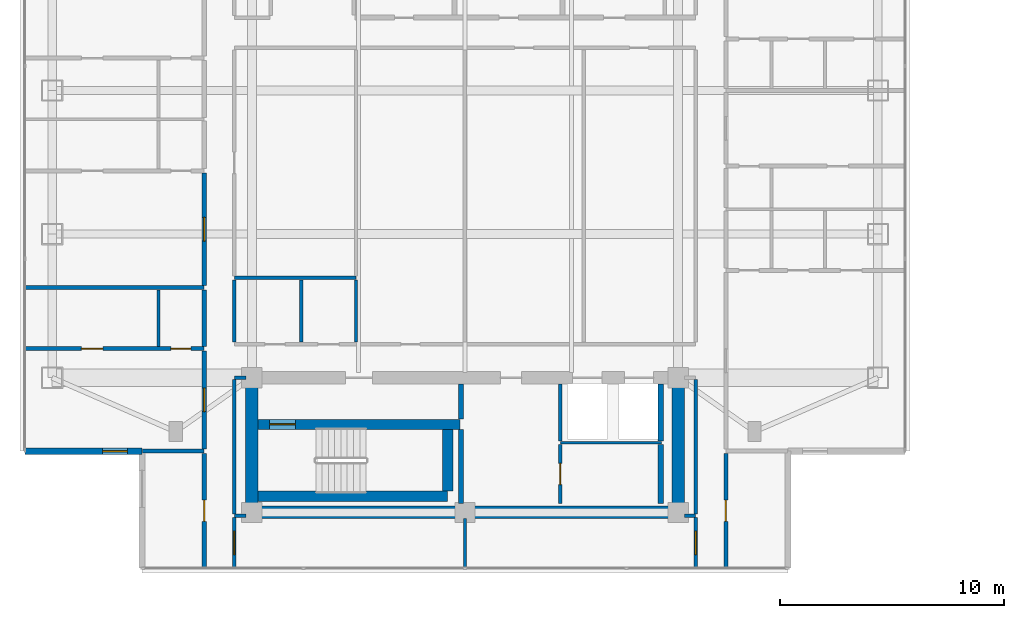
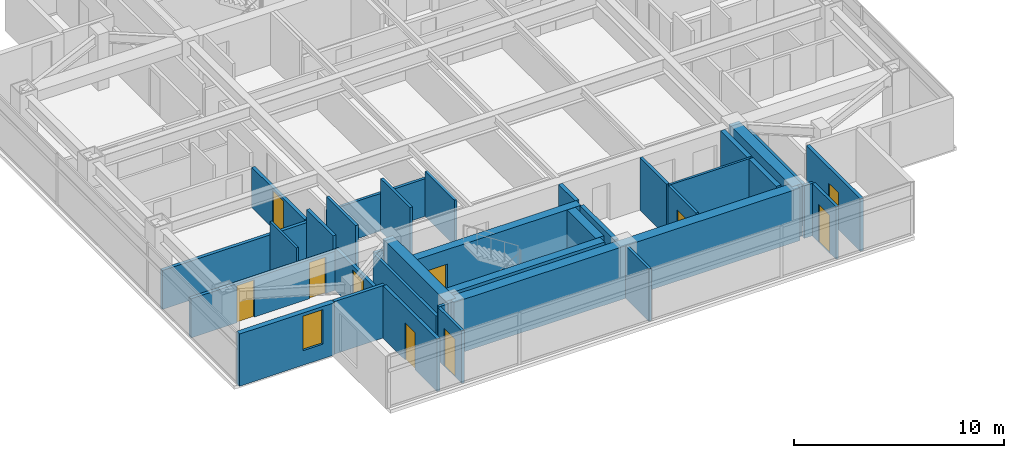
# One storey, part 12 of 24: 35 walls, 10 doors, 1 window, 11 openings.
"""IFC4 building model written with IfcOpenShell, lengths in metres."""

from ifc_helpers import new_model, si_unit, direction, frame, frame_2d, origin, place, context, subcontext, project, spatial, rectangle, extrude, material, layer, layer_set, type_object, element, fill, save


model = new_model("IFC4")

# Units and contexts
model_context = context("Model", 3, precision=1e-05, world=origin(), true_north=direction((0.0, 1.0)))
body_context = subcontext(model_context, "Body", "Model", "MODEL_VIEW")
ifc_project = project(units=[si_unit("LENGTHUNIT", "METRE"), si_unit("AREAUNIT", "SQUARE_METRE"), si_unit("VOLUMEUNIT", "CUBIC_METRE"), si_unit("PLANEANGLEUNIT", "RADIAN"), si_unit("MASSUNIT", "GRAM", prefix="KILO")], contexts=[model_context])

# Site, building, storey
site_placement = place(None, origin())
site = spatial("IfcSite", under=ifc_project, at=site_placement, CompositionType="ELEMENT")
building_placement = place(site_placement, origin())
building = spatial("IfcBuilding", under=site, at=building_placement, Name="Mirazonda Arch Towers", CompositionType="ELEMENT")
storey_placement = place(building_placement, frame((0.0, 0.0, 186.89990234375)))
storey = spatial("IfcBuildingStorey", under=building, at=storey_placement, Name="L53", CompositionType="ELEMENT", Elevation=186.89990234375)

# Wall
ifc_material_1 = material(Name="Concrete C50/60", Category="concrete")
ifc_layer_1 = layer(ifc_material_1, 0.449951171875, Name="WALL-CORE-450")
ifc_layer_set_1 = layer_set([ifc_layer_1], Name="Concrete C50/60")
wall_type_1 = type_object("IfcWallType", Name="WALL-CORE-450", PredefinedType="SHEAR", material=ifc_layer_set_1)
wall_1_placement = place(storey_placement, frame((11.27001953125, 13.1201171875, 0.0), z_axis=(0.0, 0.0, 1.0), x_axis=(1.0, 0.0, 0.0)))
element("IfcWall", 1, at=wall_1_placement, inside=storey, type_object=wall_type_1, Name="L53 Stair Core Shear Wall 003", PredefinedType="SHEAR", context=body_context, shape_type="SweptSolid", body=[
    extrude(rectangle(XDim=8.4599609375, YDim=0.449951171875, at=frame_2d((4.22998046875, 0.0))), origin(), (0.0, 0.0, 1.0), 3.050048828125),
])

# Wall, opening, door
wall_2_placement = place(storey_placement, frame((11.27001953125, 16.320068359375, 0.0), z_axis=(0.0, 0.0, 1.0), x_axis=(1.0, 0.0, 0.0)))
wall_2 = element("IfcWall", 2, at=wall_2_placement, inside=storey, type_object=wall_type_1, Name="L53 Stair Core Shear Wall 007", PredefinedType="SHEAR", context=body_context, shape_type="SweptSolid", body=[
    extrude(rectangle(XDim=9.010009765625, YDim=0.449951171875, at=frame_2d((4.5048828125, 0.0))), origin(), (0.0, 0.0, 1.0), 3.050048828125),
])
opening_1_placement = place(wall_2_placement, frame((0.52001953125, 0.0, 0.0)))
opening_1 = element("IfcOpeningElement", 3, at=opening_1_placement, cuts=wall_2, Name="Opening DR-135", PredefinedType="OPENING", context=body_context, shape_type="SweptSolid", body=[
    extrude(rectangle(XDim=1.14990234375, YDim=2.199951171875, at=frame_2d((0.574951171875, 1.10009765625))), frame((0.0, 0.23486328125, 0.0), z_axis=(0.0, -1.0, 0.0), x_axis=(1.0, 0.0, 0.0)), (0.0, 0.0, 1.0), 0.469970703125),
])
ifc_material_2 = material(Name="Architectural Brushed Steel S355", Category="steel")
door_type_1 = type_object("IfcDoorType", Name="DOOR-STAIR-FD90-1150", OperationType="NOTDEFINED", PredefinedType="DOOR", material=ifc_material_2)
door_1_placement = place(opening_1_placement, origin())
door_1 = element("IfcDoor", 4, at=door_1_placement, inside=storey, type_object=door_type_1, Name="L53 Protected Exit Stair South Door", OperationType="SINGLE_SWING_RIGHT", OverallHeight=2.199951171875, OverallWidth=1.14990234375, PredefinedType="DOOR", context=body_context, shape_type="SweptSolid", body=[
    extrude(rectangle(XDim=1.14990234375, YDim=2.199951171875, at=frame_2d((0.574951171875, 1.10009765625))), frame((0.0, 0.02490234375, 0.0), z_axis=(0.0, -1.0, 0.0), x_axis=(1.0, 0.0, 0.0)), (0.0, 0.0, 1.0), 0.050048828125),
])
fill(opening_1, door_1)

# Walls
wall_3_placement = place(storey_placement, frame((19.72998046875, 13.35498046875, 0.0), z_axis=(0.0, 0.0, 1.0), x_axis=(0.0, 1.0, 0.0)))
element("IfcWall", 5, at=wall_3_placement, inside=storey, type_object=wall_type_1, Name="L53 Stair Core Shear Wall 083", PredefinedType="SHEAR", context=body_context, shape_type="SweptSolid", body=[
    extrude(rectangle(XDim=2.72998046875, YDim=0.449951171875, at=frame_2d((1.364990234375, 0.0))), origin(), (0.0, 0.0, 1.0), 3.050048828125),
])
ifc_layer_2 = layer(ifc_material_1, 0.550048828125, Name="WALL-CORE-550")
ifc_layer_set_2 = layer_set([ifc_layer_2], Name="Concrete C50/60")
wall_type_2 = type_object("IfcWallType", Name="WALL-CORE-550", PredefinedType="SHEAR", material=ifc_layer_set_2)
wall_4_placement = place(storey_placement, frame((11.0, 12.39990234375, 0.0), z_axis=(0.0, 0.0, 1.0), x_axis=(1.0, 0.0, 0.0)))
element("IfcWall", 6, at=wall_4_placement, inside=storey, type_object=wall_type_2, Name="L53 T1S-S Core Shear Wall", PredefinedType="SHEAR", context=body_context, shape_type="SweptSolid", body=[
    extrude(rectangle(XDim=19.0, YDim=0.550048828125, at=frame_2d((9.5, 0.0))), origin(), (0.0, 0.0, 1.0), 3.050048828125),
])
for number, where, z_axis, x_axis, name in (
    (7, (11.0, 12.39990234375, 0.0), (0.0, 0.0, 1.0), (0.0, 1.0, 0.0), "L53 T1S-W Core Shear Wall"),
    (8, (30.0, 12.39990234375, 0.0), (0.0, 0.0, 1.0), (0.0, 1.0, 0.0), "L53 T1S-E Core Shear Wall"),
):
    element("IfcWall", number, at=place(storey_placement, frame(where, z_axis=z_axis, x_axis=x_axis)), inside=storey, type_object=wall_type_2, Name=name, PredefinedType="SHEAR", context=body_context, shape_type="SweptSolid", body=[
        extrude(rectangle(XDim=6.0, YDim=0.550048828125, at=frame_2d((3.0, 0.0))), origin(), (0.0, 0.0, 1.0), 3.050048828125),
    ])

# Wall, opening, window
ifc_material_3 = material(Name="Precast Concrete C40/50", Category="concrete")
ifc_layer_3 = layer(ifc_material_3, 0.280029296875, Name="WALL-EXT-WALL-280")
ifc_layer_set_3 = layer_set([ifc_layer_3], Name="Precast Concrete C40/50")
wall_type_3 = type_object("IfcWallType", Name="WALL-EXT-WALL-280", PredefinedType="SOLIDWALL", material=ifc_layer_set_3)
wall_5_placement = place(storey_placement, frame((0.889892578125, 15.126953125, 0.0), z_axis=(0.0, 0.0, 1.0), x_axis=(1.0, 0.0, 0.0)))
wall_5 = element("IfcWall", 9, at=wall_5_placement, inside=storey, type_object=wall_type_3, Name="L53 T1 Corner Notch Return Wall WL-L53-T1-CSW2", PredefinedType="SOLIDWALL", context=body_context, shape_type="SweptSolid", body=[
    extrude(rectangle(XDim=5.215087890625, YDim=0.280029296875, at=frame_2d((2.607421875, 0.0))), origin(), (0.0, 0.0, 1.0), 3.030029296875),
])
opening_2_placement = place(wall_5_placement, frame((3.465087890625, 0.0, 0.85009765625)))
opening_2 = element("IfcOpeningElement", 10, at=opening_2_placement, cuts=wall_5, Name="Opening WN-108", PredefinedType="OPENING", context=body_context, shape_type="SweptSolid", body=[
    extrude(rectangle(XDim=1.10009765625, YDim=2.0, at=frame_2d((0.550048828125, 1.0))), frame((0.0, 0.14990234375, 0.0), z_axis=(0.0, -1.0, 0.0), x_axis=(1.0, 0.0, 0.0)), (0.0, 0.0, 1.0), 0.300048828125),
])
ifc_material_4 = material(Name="Insulated Low-E Solar Glass", Category="glass")
window_type = type_object("IfcWindowType", Name="WIN-NOTCH-1100x2000", PartitioningType="SINGLE_PANEL", PredefinedType="WINDOW", material=ifc_material_4)
window_placement = place(opening_2_placement, origin())
window = element("IfcWindow", 11, at=window_placement, inside=storey, type_object=window_type, Name="L53 Punched Facade Window WN-L53-T1-CSW2", OverallHeight=2.0, OverallWidth=1.10009765625, PartitioningType="SINGLE_PANEL", PredefinedType="WINDOW", context=body_context, shape_type="SweptSolid", body=[
    extrude(rectangle(XDim=1.10009765625, YDim=2.0, at=frame_2d((0.550048828125, 1.0))), frame((0.0, 0.030029296875, 0.0), z_axis=(0.0, -1.0, 0.0), x_axis=(1.0, 0.0, 0.0)), (0.0, 0.0, 1.0), 0.06005859375),
])
fill(opening_2, window)

# Walls
ifc_material_5 = material(Name="Concrete C40/50", Category="concrete")
ifc_layer_4 = layer(ifc_material_5, 0.219970703125, Name="WALL-FFL-220")
ifc_layer_set_4 = layer_set([ifc_layer_4], Name="Concrete C40/50")
wall_type_4 = type_object("IfcWallType", Name="WALL-FFL-220", PredefinedType="SOLIDWALL", material=ifc_layer_set_4)
wall_6_placement = place(storey_placement, frame((20.31494140625, 12.800048828125, 0.0), z_axis=(0.0, 0.0, 1.0), x_axis=(0.0, 1.0, 0.0)))
element("IfcWall", 12, at=wall_6_placement, inside=storey, type_object=wall_type_4, Name="L53 Interior Partition 085", PredefinedType="SOLIDWALL", context=body_context, shape_type="SweptSolid", body=[
    extrude(rectangle(XDim=3.284912109375, YDim=0.219970703125, at=frame_2d((1.642578125, 0.0))), origin(), (0.0, 0.0, 1.0), 3.050048828125),
])
wall_7_placement = place(storey_placement, frame((20.31494140625, 16.554931640625, 0.0), z_axis=(0.0, 0.0, 1.0), x_axis=(0.0, 1.0, 0.0)))
element("IfcWall", 13, at=wall_7_placement, inside=storey, type_object=wall_type_4, Name="L53 Interior Partition 086", PredefinedType="SOLIDWALL", context=body_context, shape_type="SweptSolid", body=[
    extrude(rectangle(XDim=1.574951171875, YDim=0.219970703125, at=frame_2d((0.78759765625, 0.0))), origin(), (0.0, 0.0, 1.0), 3.050048828125),
])
ifc_material_6 = material(Name="Fire-Rated Gypsum Stud Partition")
ifc_layer_5 = layer(ifc_material_6, 0.14990234375, Name="WALL-PART-CORR-150")
ifc_layer_set_5 = layer_set([ifc_layer_5], Name="Fire-Rated Gypsum Stud Partition")
wall_type_5 = type_object("IfcWallType", Name="WALL-PART-CORR-150", PredefinedType="PARTITIONING", material=ifc_layer_set_5)
for number, where, z_axis, x_axis, name in (
    (14, (10.219970703125, 12.25, 0.0), (0.0, 0.0, 1.0), (1.0, 0.0, 0.0), "L53 Interior Partition 001"),
    (15, (30.27001953125, 12.25, 0.0), (0.0, 0.0, 1.0), (1.0, 0.0, 0.0), "L53 Interior Partition 002"),
):
    element("IfcWall", number, at=place(storey_placement, frame(where, z_axis=z_axis, x_axis=x_axis)), inside=storey, type_object=wall_type_5, Name=name, PredefinedType="PARTITIONING", context=body_context, shape_type="SweptSolid", body=[
        extrude(rectangle(XDim=0.510009765625, YDim=0.14990234375, at=frame_2d((0.2548828125, 0.0))), origin(), (0.0, 0.0, 1.0), 3.050048828125),
    ])
wall_8_placement = place(storey_placement, frame((10.219970703125, 18.39990234375, 0.0), z_axis=(0.0, 0.0, 1.0), x_axis=(1.0, 0.0, 0.0)))
element("IfcWall", 16, at=wall_8_placement, inside=storey, type_object=wall_type_5, Name="L53 Interior Partition 011", PredefinedType="PARTITIONING", context=body_context, shape_type="SweptSolid", body=[
    extrude(rectangle(XDim=0.510009765625, YDim=0.14990234375, at=frame_2d((0.2548828125, 0.0))), origin(), (0.0, 0.0, 1.0), 2.442138671875),
])
wall_9_placement = place(storey_placement, frame((10.219970703125, 22.85009765625, 0.0), z_axis=(0.0, 0.0, 1.0), x_axis=(1.0, 0.0, 0.0)))
element("IfcWall", 17, at=wall_9_placement, inside=storey, type_object=wall_type_5, Name="L53 Interior Partition 023", PredefinedType="PARTITIONING", context=body_context, shape_type="SweptSolid", body=[
    extrude(rectangle(XDim=5.419921875, YDim=0.14990234375, at=frame_2d((2.7099609375, 0.0))), origin(), (0.0, 0.0, 1.0), 2.18603515625),
])

# Wall, opening, door
wall_10_placement = place(storey_placement, frame((10.219970703125, 9.912109375, 0.0), z_axis=(0.0, 0.0, 1.0), x_axis=(0.0, 1.0, 0.0)))
wall_10 = element("IfcWall", 18, at=wall_10_placement, inside=storey, type_object=wall_type_5, Name="L53 Interior Partition 072", PredefinedType="PARTITIONING", context=body_context, shape_type="SweptSolid", body=[
    extrude(rectangle(XDim=2.2529296875, YDim=0.14990234375, at=frame_2d((1.12646484375, 0.0))), origin(), (0.0, 0.0, 1.0), 3.050048828125),
])
opening_3_placement = place(wall_10_placement, frame((0.6015625, 0.0, 0.0)))
opening_3 = element("IfcOpeningElement", 19, at=opening_3_placement, cuts=wall_10, Name="Opening DR-121", PredefinedType="OPENING", context=body_context, shape_type="SweptSolid", body=[
    extrude(rectangle(XDim=1.050048828125, YDim=2.199951171875, at=frame_2d((0.52490234375, 1.10009765625))), frame((0.0, 0.0849609375, 0.0), z_axis=(0.0, -1.0, 0.0), x_axis=(1.0, 0.0, 0.0)), (0.0, 0.0, 1.0), 0.169921875),
])
door_type_2 = type_object("IfcDoorType", Name="DOOR-SUITE-FD60-1050", OperationType="NOTDEFINED", PredefinedType="DOOR", material=ifc_material_2)
door_2_placement = place(opening_3_placement, origin())
door_2 = element("IfcDoor", 20, at=door_2_placement, inside=storey, type_object=door_type_2, Name="L53 South Panoramic Study West Door", OperationType="SINGLE_SWING_LEFT", OverallHeight=2.199951171875, OverallWidth=1.050048828125, PredefinedType="DOOR", context=body_context, shape_type="SweptSolid", body=[
    extrude(rectangle(XDim=1.050048828125, YDim=2.199951171875, at=frame_2d((0.52490234375, 1.10009765625))), frame((0.0, 0.02490234375, 0.0), z_axis=(0.0, -1.0, 0.0), x_axis=(1.0, 0.0, 0.0)), (0.0, 0.0, 1.0), 0.050048828125),
])
fill(opening_3, door_2)

# Walls
wall_11_placement = place(storey_placement, frame((10.219970703125, 12.3349609375, 0.0), z_axis=(0.0, 0.0, 1.0), x_axis=(0.0, 1.0, 0.0)))
element("IfcWall", 21, at=wall_11_placement, inside=storey, type_object=wall_type_5, Name="L53 Interior Partition 073", PredefinedType="PARTITIONING", context=body_context, shape_type="SweptSolid", body=[
    extrude(rectangle(XDim=5.97998046875, YDim=0.14990234375, at=frame_2d((2.989990234375, 0.0))), origin(), (0.0, 0.0, 1.0), 2.442138671875),
])
for number, where, z_axis, x_axis, name in (
    (22, (10.219970703125, 19.985107421875, 0.0), (0.0, 0.0, 1.0), (0.0, 1.0, 0.0), "L53 Interior Partition 074"),
    (23, (13.199951171875, 19.985107421875, 0.0), (0.0, 0.0, 1.0), (0.0, 1.0, 0.0), "L53 Interior Partition 079"),
):
    element("IfcWall", number, at=place(storey_placement, frame(where, z_axis=z_axis, x_axis=x_axis)), inside=storey, type_object=wall_type_5, Name=name, PredefinedType="PARTITIONING", context=body_context, shape_type="SweptSolid", body=[
        extrude(rectangle(XDim=2.77978515625, YDim=0.14990234375, at=frame_2d((1.389892578125, 0.0))), origin(), (0.0, 0.0, 1.0), 3.050048828125),
    ])
wall_12_placement = place(storey_placement, frame((15.639892578125, 19.985107421875, 0.0), z_axis=(0.0, 0.0, 1.0), x_axis=(0.0, 1.0, 0.0)))
element("IfcWall", 24, at=wall_12_placement, inside=storey, type_object=wall_type_5, Name="L53 Interior Partition 080", PredefinedType="PARTITIONING", context=body_context, shape_type="SweptSolid", body=[
    extrude(rectangle(XDim=2.77978515625, YDim=0.14990234375, at=frame_2d((1.389892578125, 0.0))), origin(), (0.0, 0.0, 1.0), 2.625),
])
wall_13_placement = place(storey_placement, frame((20.5, 9.912109375, 0.0), z_axis=(0.0, 0.0, 1.0), x_axis=(0.0, 1.0, 0.0)))
element("IfcWall", 25, at=wall_13_placement, inside=storey, type_object=wall_type_5, Name="L53 Interior Partition 088", PredefinedType="PARTITIONING", context=body_context, shape_type="SweptSolid", body=[
    extrude(rectangle(XDim=2.2177734375, YDim=0.14990234375, at=frame_2d((1.10888671875, 0.0))), origin(), (0.0, 0.0, 1.0), 3.050048828125),
])

# Wall, opening, door
wall_14_placement = place(storey_placement, frame((24.75, 12.800048828125, 0.0), z_axis=(0.0, 0.0, 1.0), x_axis=(0.0, 1.0, 0.0)))
wall_14 = element("IfcWall", 26, at=wall_14_placement, inside=storey, type_object=wall_type_5, Name="L53 Interior Partition 091", PredefinedType="PARTITIONING", context=body_context, shape_type="SweptSolid", body=[
    extrude(rectangle(XDim=2.62744140625, YDim=0.14990234375, at=frame_2d((1.313720703125, 0.0))), origin(), (0.0, 0.0, 1.0), 3.050048828125),
])
opening_4_placement = place(wall_14_placement, frame((0.838623046875, 0.0, 0.0)))
opening_4 = element("IfcOpeningElement", 27, at=opening_4_placement, cuts=wall_14, Name="Opening DR-104", PredefinedType="OPENING", context=body_context, shape_type="SweptSolid", body=[
    extrude(rectangle(XDim=0.949951171875, YDim=2.14990234375, at=frame_2d((0.47509765625, 1.074951171875))), frame((0.0, 0.0849609375, 0.0), z_axis=(0.0, -1.0, 0.0), x_axis=(1.0, 0.0, 0.0)), (0.0, 0.0, 1.0), 0.169921875),
])
door_type_3 = type_object("IfcDoorType", Name="DOOR-ROOM-950", OperationType="NOTDEFINED", PredefinedType="DOOR", material=ifc_material_2)
door_3_placement = place(opening_4_placement, origin())
door_3 = element("IfcDoor", 28, at=door_3_placement, inside=storey, type_object=door_type_3, Name="L53 Residents Private Archive Study Door", OperationType="SINGLE_SWING_RIGHT", OverallHeight=2.14990234375, OverallWidth=0.949951171875, PredefinedType="DOOR", context=body_context, shape_type="SweptSolid", body=[
    extrude(rectangle(XDim=0.949951171875, YDim=2.14990234375, at=frame_2d((0.47509765625, 1.074951171875))), frame((0.0, 0.02490234375, 0.0), z_axis=(0.0, -1.0, 0.0), x_axis=(1.0, 0.0, 0.0)), (0.0, 0.0, 1.0), 0.050048828125),
])
fill(opening_4, door_3)

# Wall
wall_15_placement = place(storey_placement, frame((24.75, 15.572509765625, 0.0), z_axis=(0.0, 0.0, 1.0), x_axis=(0.0, 1.0, 0.0)))
element("IfcWall", 29, at=wall_15_placement, inside=storey, type_object=wall_type_5, Name="L53 Interior Partition 092", PredefinedType="PARTITIONING", context=body_context, shape_type="SweptSolid", body=[
    extrude(rectangle(XDim=2.557373046875, YDim=0.14990234375, at=frame_2d((1.27880859375, 0.0))), origin(), (0.0, 0.0, 1.0), 3.050048828125),
])

# Wall, opening, door
wall_16_placement = place(storey_placement, frame((30.780029296875, 9.912109375, 0.0), z_axis=(0.0, 0.0, 1.0), x_axis=(0.0, 1.0, 0.0)))
wall_16 = element("IfcWall", 30, at=wall_16_placement, inside=storey, type_object=wall_type_5, Name="L53 Interior Partition 101", PredefinedType="PARTITIONING", context=body_context, shape_type="SweptSolid", body=[
    extrude(rectangle(XDim=2.2529296875, YDim=0.14990234375, at=frame_2d((1.12646484375, 0.0))), origin(), (0.0, 0.0, 1.0), 3.050048828125),
])
opening_5_placement = place(wall_16_placement, frame((0.6015625, 0.0, 0.0)))
opening_5 = element("IfcOpeningElement", 31, at=opening_5_placement, cuts=wall_16, Name="Opening DR-121", PredefinedType="OPENING", context=body_context, shape_type="SweptSolid", body=[
    extrude(rectangle(XDim=1.050048828125, YDim=2.199951171875, at=frame_2d((0.52490234375, 1.10009765625))), frame((0.0, 0.0849609375, 0.0), z_axis=(0.0, -1.0, 0.0), x_axis=(1.0, 0.0, 0.0)), (0.0, 0.0, 1.0), 0.169921875),
])
door_4_placement = place(opening_5_placement, origin())
door_4 = element("IfcDoor", 32, at=door_4_placement, inside=storey, type_object=door_type_2, Name="L53 South Panoramic Study East Door", OperationType="SINGLE_SWING_RIGHT", OverallHeight=2.199951171875, OverallWidth=1.050048828125, PredefinedType="DOOR", context=body_context, shape_type="SweptSolid", body=[
    extrude(rectangle(XDim=1.050048828125, YDim=2.199951171875, at=frame_2d((0.52490234375, 1.10009765625))), frame((0.0, 0.02490234375, 0.0), z_axis=(0.0, -1.0, 0.0), x_axis=(1.0, 0.0, 0.0)), (0.0, 0.0, 1.0), 0.050048828125),
])
fill(opening_5, door_4)

# Walls
wall_17_placement = place(storey_placement, frame((30.780029296875, 12.3349609375, 0.0), z_axis=(0.0, 0.0, 1.0), x_axis=(0.0, 1.0, 0.0)))
element("IfcWall", 33, at=wall_17_placement, inside=storey, type_object=wall_type_5, Name="L53 Interior Partition 102", PredefinedType="PARTITIONING", context=body_context, shape_type="SweptSolid", body=[
    extrude(rectangle(XDim=5.97998046875, YDim=0.14990234375, at=frame_2d((2.989990234375, 0.0))), origin(), (0.0, 0.0, 1.0), 2.442138671875),
])
ifc_material_7 = material(Name="Fire-Rated Gypsum Twin-Stud Assembly")
ifc_layer_6 = layer(ifc_material_7, 0.179931640625, Name="WALL-PART-DEMISE-180")
ifc_layer_set_6 = layer_set([ifc_layer_6], Name="Fire-Rated Gypsum Twin-Stud Assembly")
wall_type_6 = type_object("IfcWallType", Name="WALL-PART-DEMISE-180", PredefinedType="PARTITIONING", material=ifc_layer_set_6)
wall_18_placement = place(storey_placement, frame((6.125, 15.126953125, 0.0), z_axis=(0.0, 0.0, 1.0), x_axis=(1.0, 0.0, 0.0)))
element("IfcWall", 34, at=wall_18_placement, inside=storey, type_object=wall_type_6, Name="L53 Interior Partition 004", PredefinedType="PARTITIONING", context=body_context, shape_type="SweptSolid", body=[
    extrude(rectangle(XDim=2.7548828125, YDim=0.179931640625, at=frame_2d((1.37744140625, 0.0))), origin(), (0.0, 0.0, 1.0), 3.050048828125),
])

# Wall, openings, doors
wall_19_placement = place(storey_placement, frame((0.889892578125, 19.697021484375, 0.0), z_axis=(0.0, 0.0, 1.0), x_axis=(1.0, 0.0, 0.0)))
wall_19 = element("IfcWall", 35, at=wall_19_placement, inside=storey, type_object=wall_type_6, Name="L53 Interior Partition 014", PredefinedType="PARTITIONING", context=body_context, shape_type="SweptSolid", body=[
    extrude(rectangle(XDim=7.989990234375, YDim=0.179931640625, at=frame_2d((3.9951171875, 0.0))), origin(), (0.0, 0.0, 1.0), 2.26904296875),
])
opening_6_placement = place(wall_19_placement, frame((2.52001953125, 0.0, 0.0)))
opening_6 = element("IfcOpeningElement", 36, at=opening_6_placement, cuts=wall_19, Name="Opening DR-104", PredefinedType="OPENING", context=body_context, shape_type="SweptSolid", body=[
    extrude(rectangle(XDim=0.949951171875, YDim=2.14990234375, at=frame_2d((0.47509765625, 1.074951171875))), frame((0.0, 0.099853515625, 0.0), z_axis=(0.0, -1.0, 0.0), x_axis=(1.0, 0.0, 0.0)), (0.0, 0.0, 1.0), 0.199951171875),
])
opening_7_placement = place(wall_19_placement, frame((6.5, 0.0, 0.0)))
opening_7 = element("IfcOpeningElement", 37, at=opening_7_placement, cuts=wall_19, Name="Opening DR-120", PredefinedType="OPENING", context=body_context, shape_type="SweptSolid", body=[
    extrude(rectangle(XDim=0.89990234375, YDim=2.10009765625, at=frame_2d((0.449951171875, 1.050048828125))), frame((0.0, 0.099853515625, 0.0), z_axis=(0.0, -1.0, 0.0), x_axis=(1.0, 0.0, 0.0)), (0.0, 0.0, 1.0), 0.199951171875),
])
door_5_placement = place(opening_6_placement, origin())
door_5 = element("IfcDoor", 38, at=door_5_placement, inside=storey, type_object=door_type_3, Name="L53 Studio 1 Galley Kitchen Door", OperationType="SINGLE_SWING_LEFT", OverallHeight=2.14990234375, OverallWidth=0.949951171875, PredefinedType="DOOR", context=body_context, shape_type="SweptSolid", body=[
    extrude(rectangle(XDim=0.949951171875, YDim=2.14990234375, at=frame_2d((0.47509765625, 1.074951171875))), frame((0.0, 0.02490234375, 0.0), z_axis=(0.0, -1.0, 0.0), x_axis=(1.0, 0.0, 0.0)), (0.0, 0.0, 1.0), 0.050048828125),
])
fill(opening_6, door_5)
door_type_4 = type_object("IfcDoorType", Name="DOOR-WC-900", OperationType="NOTDEFINED", PredefinedType="DOOR", material=ifc_material_2)
door_6_placement = place(opening_7_placement, origin())
door_6 = element("IfcDoor", 39, at=door_6_placement, inside=storey, type_object=door_type_4, Name="L53 Studio 1 Bathroom Door", OperationType="SINGLE_SWING_RIGHT", OverallHeight=2.10009765625, OverallWidth=0.89990234375, PredefinedType="DOOR", context=body_context, shape_type="SweptSolid", body=[
    extrude(rectangle(XDim=0.89990234375, YDim=2.10009765625, at=frame_2d((0.449951171875, 1.050048828125))), frame((0.0, 0.02490234375, 0.0), z_axis=(0.0, -1.0, 0.0), x_axis=(1.0, 0.0, 0.0)), (0.0, 0.0, 1.0), 0.050048828125),
])
fill(opening_7, door_6)

# Wall
wall_20_placement = place(storey_placement, frame((0.889892578125, 22.4169921875, 0.0), z_axis=(0.0, 0.0, 1.0), x_axis=(1.0, 0.0, 0.0)))
element("IfcWall", 40, at=wall_20_placement, inside=storey, type_object=wall_type_6, Name="L53 Interior Partition 020", PredefinedType="PARTITIONING", context=body_context, shape_type="SweptSolid", body=[
    extrude(rectangle(XDim=7.989990234375, YDim=0.179931640625, at=frame_2d((3.9951171875, 0.0))), origin(), (0.0, 0.0, 1.0), 2.26904296875),
])

# Wall, opening, door
wall_21_placement = place(storey_placement, frame((8.8798828125, 9.912109375, 0.0), z_axis=(0.0, 0.0, 1.0), x_axis=(0.0, 1.0, 0.0)))
wall_21 = element("IfcWall", 41, at=wall_21_placement, inside=storey, type_object=wall_type_6, Name="L53 Interior Partition 064", PredefinedType="PARTITIONING", context=body_context, shape_type="SweptSolid", body=[
    extrude(rectangle(XDim=5.114990234375, YDim=0.179931640625, at=frame_2d((2.5576171875, 0.0))), origin(), (0.0, 0.0, 1.0), 3.050048828125),
])
opening_8_placement = place(wall_21_placement, frame((2.08251953125, 0.0, 0.0)))
opening_8 = element("IfcOpeningElement", 42, at=opening_8_placement, cuts=wall_21, Name="Opening DR-104", PredefinedType="OPENING", context=body_context, shape_type="SweptSolid", body=[
    extrude(rectangle(XDim=0.949951171875, YDim=2.14990234375, at=frame_2d((0.47509765625, 1.074951171875))), frame((0.0, 0.099853515625, 0.0), z_axis=(0.0, -1.0, 0.0), x_axis=(1.0, 0.0, 0.0)), (0.0, 0.0, 1.0), 0.199951171875),
])
door_7_placement = place(opening_8_placement, origin())
door_7 = element("IfcDoor", 43, at=door_7_placement, inside=storey, type_object=door_type_3, Name="L53 South Panoramic Study Alcove West Door", OperationType="SINGLE_SWING_LEFT", OverallHeight=2.14990234375, OverallWidth=0.949951171875, PredefinedType="DOOR", context=body_context, shape_type="SweptSolid", body=[
    extrude(rectangle(XDim=0.949951171875, YDim=2.14990234375, at=frame_2d((0.47509765625, 1.074951171875))), frame((0.0, 0.02490234375, 0.0), z_axis=(0.0, -1.0, 0.0), x_axis=(1.0, 0.0, 0.0)), (0.0, 0.0, 1.0), 0.050048828125),
])
fill(opening_8, door_7)

wall_22_placement = place(storey_placement, frame((8.8798828125, 15.22705078125, 0.0), z_axis=(0.0, 0.0, 1.0), x_axis=(0.0, 1.0, 0.0)))
wall_22 = element("IfcWall", 44, at=wall_22_placement, inside=storey, type_object=wall_type_6, Name="L53 Interior Partition 065", PredefinedType="PARTITIONING", context=body_context, shape_type="SweptSolid", body=[
    extrude(rectangle(XDim=4.369873046875, YDim=0.179931640625, at=frame_2d((2.18505859375, 0.0))), origin(), (0.0, 0.0, 1.0), 2.442138671875),
])
opening_9_placement = place(wall_22_placement, frame((1.659912109375, 0.0, 0.0)))
opening_9 = element("IfcOpeningElement", 45, at=opening_9_placement, cuts=wall_22, Name="Opening DR-121", PredefinedType="OPENING", context=body_context, shape_type="SweptSolid", body=[
    extrude(rectangle(XDim=1.050048828125, YDim=2.199951171875, at=frame_2d((0.52490234375, 1.10009765625))), frame((0.0, 0.099853515625, 0.0), z_axis=(0.0, -1.0, 0.0), x_axis=(1.0, 0.0, 0.0)), (0.0, 0.0, 1.0), 0.199951171875),
])
door_8_placement = place(opening_9_placement, origin())
door_8 = element("IfcDoor", 46, at=door_8_placement, inside=storey, type_object=door_type_2, Name="L53 Studio Apartment 1 Living Salon Door", OperationType="SINGLE_SWING_RIGHT", OverallHeight=2.199951171875, OverallWidth=1.050048828125, PredefinedType="DOOR", context=body_context, shape_type="SweptSolid", body=[
    extrude(rectangle(XDim=1.050048828125, YDim=2.199951171875, at=frame_2d((0.52490234375, 1.10009765625))), frame((0.0, 0.02490234375, 0.0), z_axis=(0.0, -1.0, 0.0), x_axis=(1.0, 0.0, 0.0)), (0.0, 0.0, 1.0), 0.050048828125),
])
fill(opening_9, door_8)

# Wall
wall_23_placement = place(storey_placement, frame((8.8798828125, 19.797119140625, 0.0), z_axis=(0.0, 0.0, 1.0), x_axis=(0.0, 1.0, 0.0)))
element("IfcWall", 47, at=wall_23_placement, inside=storey, type_object=wall_type_6, Name="L53 Interior Partition 066", PredefinedType="PARTITIONING", context=body_context, shape_type="SweptSolid", body=[
    extrude(rectangle(XDim=2.519775390625, YDim=0.179931640625, at=frame_2d((1.259765625, 0.0))), origin(), (0.0, 0.0, 1.0), 3.050048828125),
])

# Wall, opening, door
wall_24_placement = place(storey_placement, frame((8.8798828125, 22.51708984375, 0.0), z_axis=(0.0, 0.0, 1.0), x_axis=(0.0, 1.0, 0.0)))
wall_24 = element("IfcWall", 48, at=wall_24_placement, inside=storey, type_object=wall_type_6, Name="L53 Interior Partition 067", PredefinedType="PARTITIONING", context=body_context, shape_type="SweptSolid", body=[
    extrude(rectangle(XDim=5.001953125, YDim=0.179931640625, at=frame_2d((2.5009765625, 0.0))), origin(), (0.0, 0.0, 1.0), 2.34619140625),
])
opening_10_placement = place(wall_24_placement, frame((1.97607421875, 0.0, 0.0)))
opening_10 = element("IfcOpeningElement", 49, at=opening_10_placement, cuts=wall_24, Name="Opening DR-121", PredefinedType="OPENING", context=body_context, shape_type="SweptSolid", body=[
    extrude(rectangle(XDim=1.050048828125, YDim=2.199951171875, at=frame_2d((0.52490234375, 1.10009765625))), frame((0.0, 0.099853515625, 0.0), z_axis=(0.0, -1.0, 0.0), x_axis=(1.0, 0.0, 0.0)), (0.0, 0.0, 1.0), 0.199951171875),
])
door_9_placement = place(opening_10_placement, origin())
door_9 = element("IfcDoor", 50, at=door_9_placement, inside=storey, type_object=door_type_2, Name="L53 Studio Apartment 2 Living Salon Door", OperationType="SINGLE_SWING_LEFT", OverallHeight=2.199951171875, OverallWidth=1.050048828125, PredefinedType="DOOR", context=body_context, shape_type="SweptSolid", body=[
    extrude(rectangle(XDim=1.050048828125, YDim=2.199951171875, at=frame_2d((0.52490234375, 1.10009765625))), frame((0.0, 0.02490234375, 0.0), z_axis=(0.0, -1.0, 0.0), x_axis=(1.0, 0.0, 0.0)), (0.0, 0.0, 1.0), 0.050048828125),
])
fill(opening_10, door_9)

wall_25_placement = place(storey_placement, frame((32.1201171875, 9.912109375, 0.0), z_axis=(0.0, 0.0, 1.0), x_axis=(0.0, 1.0, 0.0)))
wall_25 = element("IfcWall", 51, at=wall_25_placement, inside=storey, type_object=wall_type_6, Name="L53 Interior Partition 106", PredefinedType="PARTITIONING", context=body_context, shape_type="SweptSolid", body=[
    extrude(rectangle(XDim=5.114990234375, YDim=0.179931640625, at=frame_2d((2.5576171875, 0.0))), origin(), (0.0, 0.0, 1.0), 3.050048828125),
])
opening_11_placement = place(wall_25_placement, frame((2.08251953125, 0.0, 0.0)))
opening_11 = element("IfcOpeningElement", 52, at=opening_11_placement, cuts=wall_25, Name="Opening DR-104", PredefinedType="OPENING", context=body_context, shape_type="SweptSolid", body=[
    extrude(rectangle(XDim=0.949951171875, YDim=2.14990234375, at=frame_2d((0.47509765625, 1.074951171875))), frame((0.0, 0.099853515625, 0.0), z_axis=(0.0, -1.0, 0.0), x_axis=(1.0, 0.0, 0.0)), (0.0, 0.0, 1.0), 0.199951171875),
])
door_10_placement = place(opening_11_placement, origin())
door_10 = element("IfcDoor", 53, at=door_10_placement, inside=storey, type_object=door_type_3, Name="L53 South Panoramic Study Alcove East Door", OperationType="SINGLE_SWING_RIGHT", OverallHeight=2.14990234375, OverallWidth=0.949951171875, PredefinedType="DOOR", context=body_context, shape_type="SweptSolid", body=[
    extrude(rectangle(XDim=0.949951171875, YDim=2.14990234375, at=frame_2d((0.47509765625, 1.074951171875))), frame((0.0, 0.02490234375, 0.0), z_axis=(0.0, -1.0, 0.0), x_axis=(1.0, 0.0, 0.0)), (0.0, 0.0, 1.0), 0.050048828125),
])
fill(opening_11, door_10)

# Walls
ifc_material_8 = material(Name="Acoustic Fire-Rated Gypsum Partition")
ifc_layer_7 = layer(ifc_material_8, 0.125, Name="WALL-PART-UNIT-125")
ifc_layer_set_7 = layer_set([ifc_layer_7], Name="Acoustic Fire-Rated Gypsum Partition")
wall_type_7 = type_object("IfcWallType", Name="WALL-PART-UNIT-125", PredefinedType="PARTITIONING", material=ifc_layer_set_7)
wall_26_placement = place(storey_placement, frame((24.75, 15.5, 0.0), z_axis=(0.0, 0.0, 1.0), x_axis=(1.0, 0.0, 0.0)))
element("IfcWall", 54, at=wall_26_placement, inside=storey, type_object=wall_type_7, Name="L53 Interior Partition 006", PredefinedType="PARTITIONING", context=body_context, shape_type="SweptSolid", body=[
    extrude(rectangle(XDim=4.5, YDim=0.125, at=frame_2d((2.25, 0.0))), origin(), (0.0, 0.0, 1.0), 3.050048828125),
])
wall_27_placement = place(storey_placement, frame((6.840087890625, 19.797119140625, 0.0), z_axis=(0.0, 0.0, 1.0), x_axis=(0.0, 1.0, 0.0)))
element("IfcWall", 55, at=wall_27_placement, inside=storey, type_object=wall_type_7, Name="L53 Interior Partition 061", PredefinedType="PARTITIONING", context=body_context, shape_type="SweptSolid", body=[
    extrude(rectangle(XDim=2.519775390625, YDim=0.125, at=frame_2d((1.259765625, 0.0))), origin(), (0.0, 0.0, 1.0), 3.050048828125),
])
ifc_layer_8 = layer(ifc_material_5, 0.25, Name="WALL-SHAFT-250")
ifc_layer_set_8 = layer_set([ifc_layer_8], Name="Concrete C40/50")
wall_type_8 = type_object("IfcWallType", Name="WALL-SHAFT-250", PredefinedType="SOLIDWALL", material=ifc_layer_set_8)
wall_28_placement = place(storey_placement, frame((29.22509765625, 12.800048828125, 0.0), z_axis=(0.0, 0.0, 1.0), x_axis=(0.0, 1.0, 0.0)))
element("IfcWall", 56, at=wall_28_placement, inside=storey, type_object=wall_type_8, Name="L53 Interior Partition 097", PredefinedType="SOLIDWALL", context=body_context, shape_type="SweptSolid", body=[
    extrude(rectangle(XDim=2.62744140625, YDim=0.25, at=frame_2d((1.313720703125, 0.0))), origin(), (0.0, 0.0, 1.0), 3.050048828125),
])
wall_29_placement = place(storey_placement, frame((29.22509765625, 15.572509765625, 0.0), z_axis=(0.0, 0.0, 1.0), x_axis=(0.0, 1.0, 0.0)))
element("IfcWall", 57, at=wall_29_placement, inside=storey, type_object=wall_type_8, Name="L53 Interior Partition 098", PredefinedType="SOLIDWALL", context=body_context, shape_type="SweptSolid", body=[
    extrude(rectangle(XDim=2.557373046875, YDim=0.25, at=frame_2d((1.27880859375, 0.0))), origin(), (0.0, 0.0, 1.0), 3.050048828125),
])

save(model, "model.ifc")
